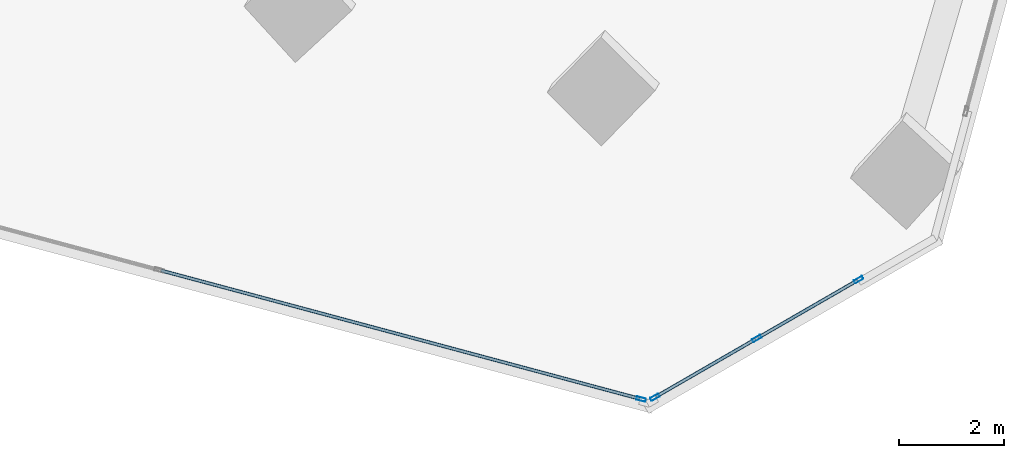
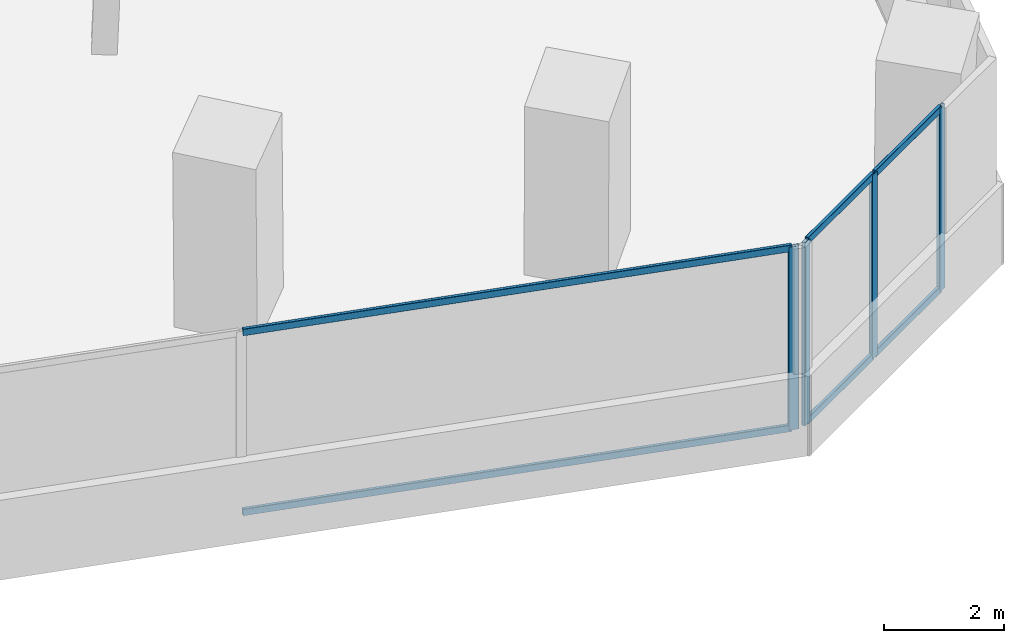
# One storey, part 8 of 26: 10 members, 2 elements without a shape of their own.
"""IFC4 building model written with IfcOpenShell, lengths in metres."""

from ifc_helpers import new_model, si_unit, direction, frame, origin, origin_2d, place, context, subcontext, project, spatial, hollow_rectangle, extrude, source, transform, mapped, material, material_profile, profile_set, type_object, element, aggregate, save


model = new_model("IFC4")

# Units and contexts
model_context = context("Model", 3, precision=1e-05, world=origin(), true_north=direction((0.0, 1.0)))
body_context = subcontext(model_context, "Body", "Model", "MODEL_VIEW")
ifc_project = project(units=[si_unit("LENGTHUNIT", "METRE"), si_unit("AREAUNIT", "SQUARE_METRE"), si_unit("VOLUMEUNIT", "CUBIC_METRE"), si_unit("PLANEANGLEUNIT", "RADIAN"), si_unit("MASSUNIT", "GRAM", prefix="KILO")], contexts=[model_context])

# Site, building, storey
site_placement = place(None, origin())
site = spatial("IfcSite", under=ifc_project, at=site_placement, CompositionType="ELEMENT")
building_placement = place(site_placement, origin())
building = spatial("IfcBuilding", under=site, at=building_placement, Name="Torre Montelarca", CompositionType="ELEMENT")
storey_placement = place(building_placement, frame((0.0, 0.0, 104.199951171875)))
storey = spatial("IfcBuildingStorey", under=building, at=storey_placement, Name="L23", CompositionType="ELEMENT", Elevation=104.199951171875)

# Curtain wall, members
ifc_material_1 = material(Name="Insulated low-E laminated glass", Category="glass")
curtain_wall_type = type_object("IfcCurtainWallType", Name="CW-SYS-Z1", PredefinedType="USERDEFINED", material=ifc_material_1)
curtain_wall_1_placement = place(storey_placement, origin())
curtain_wall_1 = element("IfcCurtainWall", 1, at=curtain_wall_1_placement, inside=storey, type_object=curtain_wall_type, Name="L23 Curtain Wall Run CW-T3-L23-E05-B1", ObjectType="UNITISED GLAZING", PredefinedType="USERDEFINED")
ifc_material_2 = material(Name="Anodised aluminium AA 6063-T6", Category="aluminium")
ifc_material_profile_1 = material_profile(ifc_material_2, hollow_rectangle(XDim=0.06494140625, YDim=0.139892578125, WallThickness=0.00390625, InnerFilletRadius=0.00390625, OuterFilletRadius=0.008056640625, at=origin_2d()), Name="ALU65X140X4", Category="aluminium")
ifc_profile_set_1 = profile_set([ifc_material_profile_1], Name="Anodised aluminium AA 6063-T6")
member_type_1 = type_object("IfcMemberType", Name="CWT-ALU140", PredefinedType="USERDEFINED", material=ifc_profile_set_1)
shared_shape_1 = source(origin(), body_context, "Body", "SweptSolid", [
    extrude(hollow_rectangle(XDim=0.06494140625, YDim=0.139892578125, WallThickness=0.00390625, InnerFilletRadius=0.00390625, OuterFilletRadius=0.008056640625, at=origin_2d()), origin(), (0.0, 0.0, 1.0), 2.179443359375),
])
member_1_placement = place(storey_placement, frame((51.77392578125, 9.865478515625, 0.032470703125), z_axis=(0.866049410587, 0.499958416693, 0.0), x_axis=(-0.499958416693, 0.866049410587, 0.0)))
member_1 = element("IfcMember", 2, at=member_1_placement, type_object=member_type_1, Name="CW transom 1.1", ObjectType="TRANSOM", PredefinedType="USERDEFINED", context=body_context, shape_type="MappedRepresentation", body=[
    mapped(shared_shape_1, transform((0.0, 0.0, 0.0), scale=1.0)),
])
member_2_placement = place(storey_placement, frame((51.77392578125, 9.865478515625, 3.6875), z_axis=(0.866049410587, 0.499958416693, 0.0), x_axis=(-0.499958416693, 0.866049410587, 0.0)))
member_2 = element("IfcMember", 3, at=member_2_placement, type_object=member_type_1, Name="CW transom 1.2", ObjectType="TRANSOM", PredefinedType="USERDEFINED", context=body_context, shape_type="MappedRepresentation", body=[
    mapped(shared_shape_1, transform((0.0, 0.0, 0.0), scale=1.0)),
])
member_3_placement = place(storey_placement, frame((53.717529296875, 10.987548828125, 0.032470703125), z_axis=(0.866049410587, 0.499958416693, 0.0), x_axis=(-0.499958416693, 0.866049410587, 0.0)))
member_3 = element("IfcMember", 4, at=member_3_placement, type_object=member_type_1, Name="CW transom 2.1", ObjectType="TRANSOM", PredefinedType="USERDEFINED", context=body_context, shape_type="MappedRepresentation", body=[
    mapped(shared_shape_1, transform((0.0, 0.0, 0.0), scale=1.0)),
])
member_4_placement = place(storey_placement, frame((53.717529296875, 10.987548828125, 3.6875), z_axis=(0.866049410587, 0.499958416693, 0.0), x_axis=(-0.499958416693, 0.866049410587, 0.0)))
member_4 = element("IfcMember", 5, at=member_4_placement, type_object=member_type_1, Name="CW transom 2.2", ObjectType="TRANSOM", PredefinedType="USERDEFINED", context=body_context, shape_type="MappedRepresentation", body=[
    mapped(shared_shape_1, transform((0.0, 0.0, 0.0), scale=1.0)),
])

# Curtain wall, member
curtain_wall_2_placement = place(storey_placement, origin())
curtain_wall_2 = element("IfcCurtainWall", 6, at=curtain_wall_2_placement, inside=storey, type_object=curtain_wall_type, Name="L23 Curtain Wall Run CW-T3-L23-E04-B1", ObjectType="UNITISED GLAZING", PredefinedType="USERDEFINED")
ifc_material_profile_2 = material_profile(ifc_material_2, hollow_rectangle(XDim=0.06494140625, YDim=0.179931640625, WallThickness=0.00390625, InnerFilletRadius=0.00390625, OuterFilletRadius=0.008056640625, at=origin_2d()), Name="ALU65X180X4", Category="aluminium")
ifc_profile_set_2 = profile_set([ifc_material_profile_2], Name="Anodised aluminium AA 6063-T6")
member_type_2 = type_object("IfcMemberType", Name="CWM-ALU180", PredefinedType="MULLION", material=ifc_profile_set_2)
shared_shape_2 = source(origin(), body_context, "Body", "SweptSolid", [
    extrude(hollow_rectangle(XDim=0.06494140625, YDim=0.179931640625, WallThickness=0.00390625, InnerFilletRadius=0.00390625, OuterFilletRadius=0.008056640625, at=origin_2d()), origin(), (0.0, 0.0, 1.0), 3.719970703125),
])
member_5_placement = place(storey_placement, frame((51.481201171875, 9.814208984375, 0.0), z_axis=(0.0, 0.0, 1.0), x_axis=(0.258823354003, 0.965924671712, 0.0)))
member_5 = element("IfcMember", 7, at=member_5_placement, type_object=member_type_2, Name="CW mullion 3", PredefinedType="MULLION", context=body_context, shape_type="MappedRepresentation", body=[
    mapped(shared_shape_2, transform((0.0, 0.0, 0.0), scale=1.0)),
])

# Member
member_6_placement = place(storey_placement, frame((51.745849609375, 9.84912109375, 0.0), z_axis=(0.0, 0.0, 1.0), x_axis=(-0.500003164563, 0.866023576716, 0.0)))
member_6 = element("IfcMember", 8, at=member_6_placement, type_object=member_type_2, Name="CW mullion 1", PredefinedType="MULLION", context=body_context, shape_type="MappedRepresentation", body=[
    mapped(shared_shape_2, transform((0.0, 0.0, 0.0), scale=1.0)),
])

member_7_placement = place(storey_placement, frame((53.689453125, 10.97119140625, 0.0), z_axis=(0.0, 0.0, 1.0), x_axis=(-0.500003164563, 0.866023576716, 0.0)))
member_7 = element("IfcMember", 9, at=member_7_placement, type_object=member_type_2, Name="CW mullion 2", PredefinedType="MULLION", context=body_context, shape_type="MappedRepresentation", body=[
    mapped(shared_shape_2, transform((0.0, 0.0, 0.0), scale=1.0)),
])

member_8_placement = place(storey_placement, frame((55.633056640625, 12.093505859375, 0.0), z_axis=(0.0, 0.0, 1.0), x_axis=(-0.500003164563, 0.866023576716, 0.0)))
member_8 = element("IfcMember", 10, at=member_8_placement, type_object=member_type_2, Name="CW mullion 3", PredefinedType="MULLION", context=body_context, shape_type="MappedRepresentation", body=[
    mapped(shared_shape_2, transform((0.0, 0.0, 0.0), scale=1.0)),
])

aggregate(curtain_wall_1, [member_6, member_7, member_8, member_1, member_2, member_3, member_4])

shared_shape_3 = source(origin(), body_context, "Body", "SweptSolid", [
    extrude(hollow_rectangle(XDim=0.06494140625, YDim=0.139892578125, WallThickness=0.00390625, InnerFilletRadius=0.00390625, OuterFilletRadius=0.008056640625, at=origin_2d()), origin(), (0.0, 0.0, 1.0), 9.44873046875),
])
member_9_placement = place(storey_placement, frame((42.322998046875, 12.268310546875, 0.032470703125), z_axis=(0.965924176867, -0.258825200751, 0.0), x_axis=(0.258825200751, 0.965924176867, 0.0)))
member_9 = element("IfcMember", 11, at=member_9_placement, type_object=member_type_1, Name="CW transom 2.1", ObjectType="TRANSOM", PredefinedType="USERDEFINED", context=body_context, shape_type="MappedRepresentation", body=[
    mapped(shared_shape_3, transform((0.0, 0.0, 0.0), scale=1.0)),
])

member_10_placement = place(storey_placement, frame((42.322998046875, 12.268310546875, 3.6875), z_axis=(0.965924176867, -0.258825200751, 0.0), x_axis=(0.258825200751, 0.965924176867, 0.0)))
member_10 = element("IfcMember", 12, at=member_10_placement, type_object=member_type_1, Name="CW transom 2.2", ObjectType="TRANSOM", PredefinedType="USERDEFINED", context=body_context, shape_type="MappedRepresentation", body=[
    mapped(shared_shape_3, transform((0.0, 0.0, 0.0), scale=1.0)),
])

aggregate(curtain_wall_2, [member_5, member_9, member_10])

save(model, "model.ifc")
